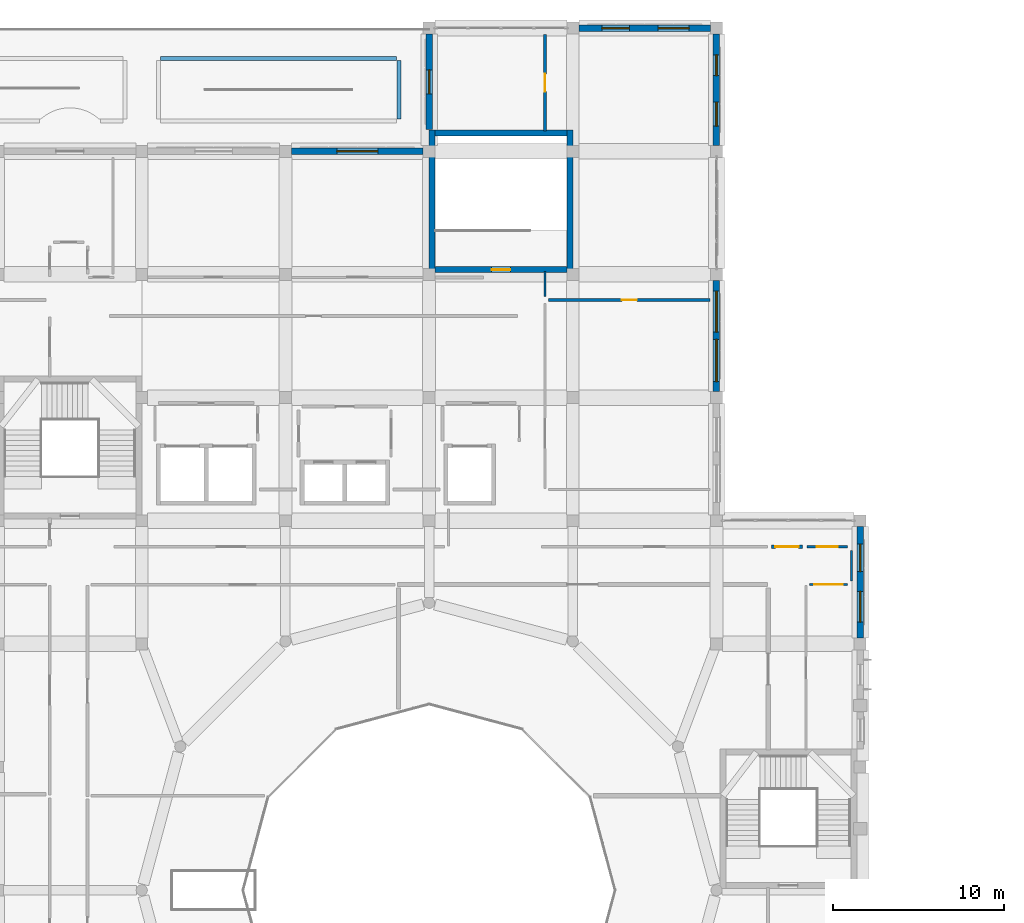
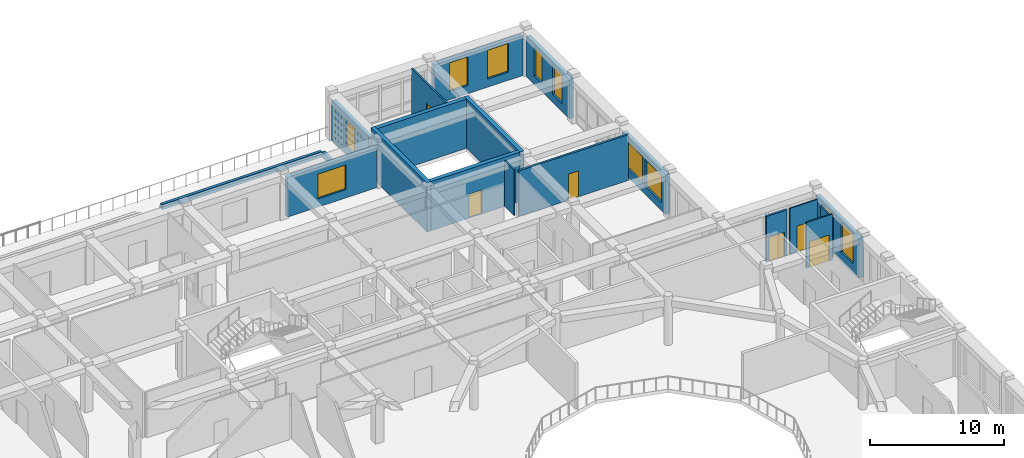
# One storey, part 50 of 79: 19 walls, 10 windows, 6 doors, 16 openings.
"""IFC4 building model written with IfcOpenShell, lengths in metres."""

from ifc_helpers import new_model, si_unit, derived_unit, direction, frame, frame_2d, origin, place, context, subcontext, project, spatial, rectangle, extrude, material, layer, layer_set, type_object, element, fill, save


model = new_model("IFC4")

# Units and contexts
model_context = context("Model", 3, precision=1e-05, world=origin(), true_north=direction((0.0, 1.0)))
body_context = subcontext(model_context, "Body", "Model", "MODEL_VIEW")
ifc_project = project(units=[si_unit("LENGTHUNIT", "METRE"), si_unit("AREAUNIT", "SQUARE_METRE"), si_unit("VOLUMEUNIT", "CUBIC_METRE"), si_unit("PLANEANGLEUNIT", "RADIAN"), si_unit("MASSUNIT", "GRAM", prefix="KILO"), derived_unit("THERMALTRANSMITTANCEUNIT", [(si_unit("POWERUNIT", "WATT"), 1), (si_unit("LENGTHUNIT", "METRE"), -2), (si_unit("THERMODYNAMICTEMPERATUREUNIT", "KELVIN"), -1)])], contexts=[model_context])

# Site, building, storey
site_placement = place(None, origin())
site = spatial("IfcSite", under=ifc_project, at=site_placement, CompositionType="ELEMENT")
building_placement = place(site_placement, origin())
building = spatial("IfcBuilding", under=site, at=building_placement, Name="Veybourne Emporium", CompositionType="ELEMENT")
storey_placement = place(building_placement, frame((0.0, 0.0, 18.89990234375)))
storey = spatial("IfcBuildingStorey", under=building, at=storey_placement, Name="L04", CompositionType="ELEMENT", Elevation=18.89990234375)

# Wall, opening, window
ifc_material_1 = material(Name="Portland Limestone Ashlar", Category="masonry")
ifc_layer_1 = layer(ifc_material_1, 0.3798828125)
ifc_layer_set_1 = layer_set([ifc_layer_1], Name="Portland Limestone Ashlar")
wall_type_1 = type_object("IfcWallType", Name="ExtWall_EW-03", PredefinedType="SOLIDWALL", material=ifc_layer_set_1)
wall_1_placement = place(storey_placement, frame((67.550048828125, 93.60009765625, 0.0), z_axis=(0.0, 0.0, 1.0), x_axis=(1.0, 0.0, 0.0)))
wall_1 = element("IfcWall", 1, at=wall_1_placement, inside=storey, type_object=wall_type_1, Name="L04 terrace facade wall 037", PredefinedType="SOLIDWALL", context=body_context, shape_type="SweptSolid", body=[
    extrude(rectangle(XDim=7.699951171875, YDim=0.3798828125, at=frame_2d((3.85009765625, 0.0))), origin(), (0.0, 0.0, 1.0), 3.630126953125),
])
opening_1_placement = place(wall_1_placement, frame((2.64990234375, 0.0, 0.75)))
opening_1 = element("IfcOpeningElement", 2, at=opening_1_placement, cuts=wall_1, Name="Opening W-23", PredefinedType="OPENING", context=body_context, shape_type="SweptSolid", body=[
    extrude(rectangle(XDim=2.39990234375, YDim=2.260009765625, at=frame_2d((1.199951171875, 1.1298828125))), frame((0.0, 0.2099609375, 0.0), z_axis=(0.0, -1.0, 0.0), x_axis=(1.0, 0.0, 0.0)), (0.0, 0.0, 1.0), 0.419921875),
])
ifc_material_2 = material(Name="Low-E Triple Glazing", Category="glass")
window_type_1 = type_object("IfcWindowType", Name="Win_W-23", PartitioningType="TRIPLE_PANEL_VERTICAL", PredefinedType="WINDOW", material=ifc_material_2)
window_1_placement = place(opening_1_placement, origin())
window_1 = element("IfcWindow", 3, at=window_1_placement, inside=storey, type_object=window_type_1, Name="L04 terrace window 037", OverallHeight=2.260009765625, OverallWidth=2.39990234375, PartitioningType="TRIPLE_PANEL_VERTICAL", PredefinedType="WINDOW", context=body_context, shape_type="SweptSolid", body=[
    extrude(rectangle(XDim=2.39990234375, YDim=2.260009765625, at=frame_2d((1.199951171875, 1.1298828125))), frame((0.0, 0.030029296875, 0.0), z_axis=(0.0, -1.0, 0.0), x_axis=(1.0, 0.0, 0.0)), (0.0, 0.0, 1.0), 0.06005859375),
])
fill(opening_1, window_1)

wall_2_placement = place(storey_placement, frame((75.60009765625, 94.8701171875, 0.0), z_axis=(0.0, 0.0, 1.0), x_axis=(0.0, 1.0, 0.0)))
wall_2 = element("IfcWall", 4, at=wall_2_placement, inside=storey, type_object=wall_type_1, Name="L04 terrace facade wall 040", PredefinedType="SOLIDWALL", context=body_context, shape_type="SweptSolid", body=[
    extrude(rectangle(XDim=5.579833984375, YDim=0.3798828125, at=frame_2d((2.7900390625, 0.0))), origin(), (0.0, 0.0, 1.0), 3.630126953125),
])
opening_2_placement = place(wall_2_placement, frame((2.090087890625, 0.0, 0.75)))
opening_2 = element("IfcOpeningElement", 5, at=opening_2_placement, cuts=wall_2, Name="Opening W-26", PredefinedType="OPENING", context=body_context, shape_type="SweptSolid", body=[
    extrude(rectangle(XDim=1.39990234375, YDim=2.43994140625, at=frame_2d((0.699951171875, 1.219970703125))), frame((0.0, 0.2099609375, 0.0), z_axis=(0.0, -1.0, 0.0), x_axis=(1.0, 0.0, 0.0)), (0.0, 0.0, 1.0), 0.419921875),
])
window_type_2 = type_object("IfcWindowType", Name="Win_W-26", PartitioningType="DOUBLE_PANEL_VERTICAL", PredefinedType="WINDOW", material=ifc_material_2)
window_2_placement = place(opening_2_placement, origin())
window_2 = element("IfcWindow", 6, at=window_2_placement, inside=storey, type_object=window_type_2, Name="L04 terrace window 040", OverallHeight=2.43994140625, OverallWidth=1.39990234375, PartitioningType="DOUBLE_PANEL_VERTICAL", PredefinedType="WINDOW", context=body_context, shape_type="SweptSolid", body=[
    extrude(rectangle(XDim=1.39990234375, YDim=2.43994140625, at=frame_2d((0.699951171875, 1.219970703125))), frame((0.0, 0.030029296875, 0.0), z_axis=(0.0, -1.0, 0.0), x_axis=(1.0, 0.0, 0.0)), (0.0, 0.0, 1.0), 0.06005859375),
])
fill(opening_2, window_2)

# Wall, openings, windows
wall_3_placement = place(storey_placement, frame((92.39990234375, 86.050048828125, 0.0), z_axis=(0.0, 0.0, 1.0), x_axis=(0.0, -1.0, 0.0)))
wall_3 = element("IfcWall", 7, at=wall_3_placement, inside=storey, type_object=wall_type_1, Name="L04 Portland stone external wall 044", PredefinedType="SOLIDWALL", context=body_context, shape_type="SweptSolid", body=[
    extrude(rectangle(XDim=6.5, YDim=0.3798828125, at=frame_2d((3.25, 0.0))), origin(), (0.0, 0.0, 1.0), 3.630126953125),
])
opening_3_placement = place(wall_3_placement, frame((0.6201171875, 0.0, 0.75)))
opening_3 = element("IfcOpeningElement", 8, at=opening_3_placement, cuts=wall_3, Name="Opening W-31", PredefinedType="OPENING", context=body_context, shape_type="SweptSolid", body=[
    extrude(rectangle(XDim=2.39990234375, YDim=2.43994140625, at=frame_2d((1.199951171875, 1.219970703125))), frame((0.0, 0.2099609375, 0.0), z_axis=(0.0, -1.0, 0.0), x_axis=(1.0, 0.0, 0.0)), (0.0, 0.0, 1.0), 0.419921875),
])
opening_4_placement = place(wall_3_placement, frame((3.445068359375, 0.0, 0.75)))
opening_4 = element("IfcOpeningElement", 9, at=opening_4_placement, cuts=wall_3, Name="Opening W-32", PredefinedType="OPENING", context=body_context, shape_type="SweptSolid", body=[
    extrude(rectangle(XDim=2.469970703125, YDim=2.43994140625, at=frame_2d((1.23486328125, 1.219970703125))), frame((0.0, 0.2099609375, 0.0), z_axis=(0.0, -1.0, 0.0), x_axis=(1.0, 0.0, 0.0)), (0.0, 0.0, 1.0), 0.419921875),
])
window_type_3 = type_object("IfcWindowType", Name="Win_W-31", PartitioningType="TRIPLE_PANEL_VERTICAL", PredefinedType="WINDOW", material=ifc_material_2)
window_3_placement = place(opening_3_placement, origin())
window_3 = element("IfcWindow", 10, at=window_3_placement, inside=storey, type_object=window_type_3, Name="L04 tripartite bronze casement window W-31 (44.1)", OverallHeight=2.43994140625, OverallWidth=2.39990234375, PartitioningType="TRIPLE_PANEL_VERTICAL", PredefinedType="WINDOW", context=body_context, shape_type="SweptSolid", body=[
    extrude(rectangle(XDim=2.39990234375, YDim=2.43994140625, at=frame_2d((1.199951171875, 1.219970703125))), frame((0.0, 0.030029296875, 0.0), z_axis=(0.0, -1.0, 0.0), x_axis=(1.0, 0.0, 0.0)), (0.0, 0.0, 1.0), 0.06005859375),
])
fill(opening_3, window_3)
window_type_4 = type_object("IfcWindowType", Name="Win_W-32", PartitioningType="TRIPLE_PANEL_VERTICAL", PredefinedType="WINDOW", material=ifc_material_2)
window_4_placement = place(opening_4_placement, origin())
window_4 = element("IfcWindow", 11, at=window_4_placement, inside=storey, type_object=window_type_4, Name="L04 tripartite bronze casement window W-32 (44.2)", OverallHeight=2.43994140625, OverallWidth=2.469970703125, PartitioningType="TRIPLE_PANEL_VERTICAL", PredefinedType="WINDOW", context=body_context, shape_type="SweptSolid", body=[
    extrude(rectangle(XDim=2.469970703125, YDim=2.43994140625, at=frame_2d((1.23486328125, 1.219970703125))), frame((0.0, 0.030029296875, 0.0), z_axis=(0.0, -1.0, 0.0), x_axis=(1.0, 0.0, 0.0)), (0.0, 0.0, 1.0), 0.06005859375),
])
fill(opening_4, window_4)

wall_4_placement = place(storey_placement, frame((92.39990234375, 100.449951171875, 0.0), z_axis=(0.0, 0.0, 1.0), x_axis=(0.0, -1.0, 0.0)))
wall_4 = element("IfcWall", 12, at=wall_4_placement, inside=storey, type_object=wall_type_1, Name="L04 Portland stone external wall 046", PredefinedType="SOLIDWALL", context=body_context, shape_type="SweptSolid", body=[
    extrude(rectangle(XDim=6.5, YDim=0.3798828125, at=frame_2d((3.25, 0.0))), origin(), (0.0, 0.0, 1.0), 3.630126953125),
])
opening_5_placement = place(wall_4_placement, frame((1.219970703125, 0.0, 0.75)))
opening_5 = element("IfcOpeningElement", 13, at=opening_5_placement, cuts=wall_4, Name="Opening W-33", PredefinedType="OPENING", context=body_context, shape_type="SweptSolid", body=[
    extrude(rectangle(XDim=1.199951171875, YDim=2.6201171875, at=frame_2d((0.60009765625, 1.31005859375))), frame((0.0, 0.2099609375, 0.0), z_axis=(0.0, -1.0, 0.0), x_axis=(1.0, 0.0, 0.0)), (0.0, 0.0, 1.0), 0.419921875),
])
opening_6_placement = place(wall_4_placement, frame((3.97998046875, 0.0, 0.75)))
opening_6 = element("IfcOpeningElement", 14, at=opening_6_placement, cuts=wall_4, Name="Opening W-34", PredefinedType="OPENING", context=body_context, shape_type="SweptSolid", body=[
    extrude(rectangle(XDim=1.39990234375, YDim=2.6201171875, at=frame_2d((0.699951171875, 1.31005859375))), frame((0.0, 0.2099609375, 0.0), z_axis=(0.0, -1.0, 0.0), x_axis=(1.0, 0.0, 0.0)), (0.0, 0.0, 1.0), 0.419921875),
])
window_type_5 = type_object("IfcWindowType", Name="Win_W-33", PartitioningType="SINGLE_PANEL", PredefinedType="WINDOW", material=ifc_material_2)
window_5_placement = place(opening_5_placement, origin())
window_5 = element("IfcWindow", 15, at=window_5_placement, inside=storey, type_object=window_type_5, Name="L04 tripartite bronze casement window W-33 (46.1)", OverallHeight=2.6201171875, OverallWidth=1.199951171875, PartitioningType="SINGLE_PANEL", PredefinedType="WINDOW", context=body_context, shape_type="SweptSolid", body=[
    extrude(rectangle(XDim=1.199951171875, YDim=2.6201171875, at=frame_2d((0.60009765625, 1.31005859375))), frame((0.0, 0.030029296875, 0.0), z_axis=(0.0, -1.0, 0.0), x_axis=(1.0, 0.0, 0.0)), (0.0, 0.0, 1.0), 0.06005859375),
])
fill(opening_5, window_5)
window_type_6 = type_object("IfcWindowType", Name="Win_W-34", PartitioningType="DOUBLE_PANEL_VERTICAL", PredefinedType="WINDOW", material=ifc_material_2)
window_6_placement = place(opening_6_placement, origin())
window_6 = element("IfcWindow", 16, at=window_6_placement, inside=storey, type_object=window_type_6, Name="L04 tripartite bronze casement window W-34 (46.2)", OverallHeight=2.6201171875, OverallWidth=1.39990234375, PartitioningType="DOUBLE_PANEL_VERTICAL", PredefinedType="WINDOW", context=body_context, shape_type="SweptSolid", body=[
    extrude(rectangle(XDim=1.39990234375, YDim=2.6201171875, at=frame_2d((0.699951171875, 1.31005859375))), frame((0.0, 0.030029296875, 0.0), z_axis=(0.0, -1.0, 0.0), x_axis=(1.0, 0.0, 0.0)), (0.0, 0.0, 1.0), 0.06005859375),
])
fill(opening_6, window_6)

wall_5_placement = place(storey_placement, frame((84.35009765625, 100.800048828125, 0.0), z_axis=(0.0, 0.0, 1.0), x_axis=(1.0, 0.0, 0.0)))
wall_5 = element("IfcWall", 17, at=wall_5_placement, inside=storey, type_object=wall_type_1, Name="L04 Portland stone external wall 047", PredefinedType="SOLIDWALL", context=body_context, shape_type="SweptSolid", body=[
    extrude(rectangle(XDim=7.699951171875, YDim=0.3798828125, at=frame_2d((3.85009765625, 0.0))), origin(), (0.0, 0.0, 1.0), 3.630126953125),
])
opening_7_placement = place(wall_5_placement, frame((1.35595703125, 0.0, 0.75)))
opening_7 = element("IfcOpeningElement", 18, at=opening_7_placement, cuts=wall_5, Name="Opening W-35", PredefinedType="OPENING", context=body_context, shape_type="SweptSolid", body=[
    extrude(rectangle(XDim=1.60009765625, YDim=2.6201171875, at=frame_2d((0.800048828125, 1.31005859375))), frame((0.0, 0.2099609375, 0.0), z_axis=(0.0, -1.0, 0.0), x_axis=(1.0, 0.0, 0.0)), (0.0, 0.0, 1.0), 0.419921875),
])
opening_8_placement = place(wall_5_placement, frame((4.64404296875, 0.0, 0.75)))
opening_8 = element("IfcOpeningElement", 19, at=opening_8_placement, cuts=wall_5, Name="Opening W-36", PredefinedType="OPENING", context=body_context, shape_type="SweptSolid", body=[
    extrude(rectangle(XDim=1.800048828125, YDim=2.6201171875, at=frame_2d((0.89990234375, 1.31005859375))), frame((0.0, 0.2099609375, 0.0), z_axis=(0.0, -1.0, 0.0), x_axis=(1.0, 0.0, 0.0)), (0.0, 0.0, 1.0), 0.419921875),
])
window_type_7 = type_object("IfcWindowType", Name="Win_W-35", PartitioningType="DOUBLE_PANEL_VERTICAL", PredefinedType="WINDOW", material=ifc_material_2)
window_7_placement = place(opening_7_placement, origin())
window_7 = element("IfcWindow", 20, at=window_7_placement, inside=storey, type_object=window_type_7, Name="L04 tripartite bronze casement window W-35 (47.1)", OverallHeight=2.6201171875, OverallWidth=1.60009765625, PartitioningType="DOUBLE_PANEL_VERTICAL", PredefinedType="WINDOW", context=body_context, shape_type="SweptSolid", body=[
    extrude(rectangle(XDim=1.60009765625, YDim=2.6201171875, at=frame_2d((0.800048828125, 1.31005859375))), frame((0.0, 0.030029296875, 0.0), z_axis=(0.0, -1.0, 0.0), x_axis=(1.0, 0.0, 0.0)), (0.0, 0.0, 1.0), 0.06005859375),
])
fill(opening_7, window_7)
window_type_8 = type_object("IfcWindowType", Name="Win_W-36", PartitioningType="DOUBLE_PANEL_VERTICAL", PredefinedType="WINDOW", material=ifc_material_2)
window_8_placement = place(opening_8_placement, origin())
window_8 = element("IfcWindow", 21, at=window_8_placement, inside=storey, type_object=window_type_8, Name="L04 tripartite bronze casement window W-36 (47.2)", OverallHeight=2.6201171875, OverallWidth=1.800048828125, PartitioningType="DOUBLE_PANEL_VERTICAL", PredefinedType="WINDOW", context=body_context, shape_type="SweptSolid", body=[
    extrude(rectangle(XDim=1.800048828125, YDim=2.6201171875, at=frame_2d((0.89990234375, 1.31005859375))), frame((0.0, 0.030029296875, 0.0), z_axis=(0.0, -1.0, 0.0), x_axis=(1.0, 0.0, 0.0)), (0.0, 0.0, 1.0), 0.06005859375),
])
fill(opening_8, window_8)

wall_6_placement = place(storey_placement, frame((100.800048828125, 71.64990234375, 0.0), z_axis=(0.0, 0.0, 1.0), x_axis=(0.0, -1.0, 0.0)))
wall_6 = element("IfcWall", 22, at=wall_6_placement, inside=storey, type_object=wall_type_1, Name="L04 Portland stone external wall 053", PredefinedType="SOLIDWALL", context=body_context, shape_type="SweptSolid", body=[
    extrude(rectangle(XDim=6.5, YDim=0.3798828125, at=frame_2d((3.25, 0.0))), origin(), (0.0, 0.0, 1.0), 3.630126953125),
])
opening_9_placement = place(wall_6_placement, frame((1.02001953125, 0.0, 0.75)))
opening_9 = element("IfcOpeningElement", 23, at=opening_9_placement, cuts=wall_6, Name="Opening W-43", PredefinedType="OPENING", context=body_context, shape_type="SweptSolid", body=[
    extrude(rectangle(XDim=1.60009765625, YDim=2.72998046875, at=frame_2d((0.800048828125, 1.364990234375))), frame((0.0, 0.2099609375, 0.0), z_axis=(0.0, -1.0, 0.0), x_axis=(1.0, 0.0, 0.0)), (0.0, 0.0, 1.0), 0.419921875),
])
opening_10_placement = place(wall_6_placement, frame((3.780029296875, 0.0, 0.75)))
opening_10 = element("IfcOpeningElement", 24, at=opening_10_placement, cuts=wall_6, Name="Opening W-44", PredefinedType="OPENING", context=body_context, shape_type="SweptSolid", body=[
    extrude(rectangle(XDim=1.800048828125, YDim=2.72998046875, at=frame_2d((0.89990234375, 1.364990234375))), frame((0.0, 0.2099609375, 0.0), z_axis=(0.0, -1.0, 0.0), x_axis=(1.0, 0.0, 0.0)), (0.0, 0.0, 1.0), 0.419921875),
])
window_type_9 = type_object("IfcWindowType", Name="Win_W-43", PartitioningType="DOUBLE_PANEL_VERTICAL", PredefinedType="WINDOW", material=ifc_material_2)
window_9_placement = place(opening_9_placement, origin())
window_9 = element("IfcWindow", 25, at=window_9_placement, inside=storey, type_object=window_type_9, Name="L04 tripartite bronze casement window W-43 (53.1)", OverallHeight=2.72998046875, OverallWidth=1.60009765625, PartitioningType="DOUBLE_PANEL_VERTICAL", PredefinedType="WINDOW", context=body_context, shape_type="SweptSolid", body=[
    extrude(rectangle(XDim=1.60009765625, YDim=2.72998046875, at=frame_2d((0.800048828125, 1.364990234375))), frame((0.0, 0.030029296875, 0.0), z_axis=(0.0, -1.0, 0.0), x_axis=(1.0, 0.0, 0.0)), (0.0, 0.0, 1.0), 0.06005859375),
])
fill(opening_9, window_9)
window_type_10 = type_object("IfcWindowType", Name="Win_W-44", PartitioningType="DOUBLE_PANEL_VERTICAL", PredefinedType="WINDOW", material=ifc_material_2)
window_10_placement = place(opening_10_placement, origin())
window_10 = element("IfcWindow", 26, at=window_10_placement, inside=storey, type_object=window_type_10, Name="L04 tripartite bronze casement window W-44 (53.2)", OverallHeight=2.72998046875, OverallWidth=1.800048828125, PartitioningType="DOUBLE_PANEL_VERTICAL", PredefinedType="WINDOW", context=body_context, shape_type="SweptSolid", body=[
    extrude(rectangle(XDim=1.800048828125, YDim=2.72998046875, at=frame_2d((0.89990234375, 1.364990234375))), frame((0.0, 0.030029296875, 0.0), z_axis=(0.0, -1.0, 0.0), x_axis=(1.0, 0.0, 0.0)), (0.0, 0.0, 1.0), 0.06005859375),
])
fill(opening_10, window_10)

# Walls
ifc_material_3 = material(Name="Precast concrete C40/50", Category="concrete")
ifc_layer_2 = layer(ifc_material_3, 0.239990234375)
ifc_layer_set_2 = layer_set([ifc_layer_2], Name="Precast concrete C40/50")
wall_type_2 = type_object("IfcWallType", Name="ExtWall_PW-02", PredefinedType="PARAPET", material=ifc_layer_set_2)
wall_7_placement = place(storey_placement, frame((59.89990234375, 99.030029296875, 0.0), z_axis=(0.0, 0.0, 1.0), x_axis=(1.0, 0.0, 0.0)))
element("IfcWall", 27, at=wall_7_placement, inside=storey, type_object=wall_type_2, Name="L04 planted roof-garden kerb 003", PredefinedType="PARAPET", context=body_context, shape_type="SweptSolid", body=[
    extrude(rectangle(XDim=13.800048828125, YDim=0.239990234375, at=frame_2d((6.89990234375, 0.0))), origin(), (0.0, 0.0, 1.0), 0.5),
])
wall_8_placement = place(storey_placement, frame((73.830078125, 98.89990234375, 0.0), z_axis=(0.0, 0.0, 1.0), x_axis=(0.0, -1.0, 0.0)))
element("IfcWall", 28, at=wall_8_placement, inside=storey, type_object=wall_type_2, Name="L04 planted roof-garden kerb 004", PredefinedType="PARAPET", context=body_context, shape_type="SweptSolid", body=[
    extrude(rectangle(XDim=3.39990234375, YDim=0.239990234375, at=frame_2d((1.699951171875, 0.0))), origin(), (0.0, 0.0, 1.0), 0.5),
])

# Wall, opening, door
ifc_material_4 = material(Name="Concrete C40/50", Category="concrete")
ifc_layer_3 = layer(ifc_material_4, 0.35009765625)
ifc_layer_set_3 = layer_set([ifc_layer_3], Name="Concrete C40/50")
wall_type_3 = type_object("IfcWallType", Name="IntWall_CW-02", PredefinedType="SHEAR", material=ifc_layer_set_3)
wall_9_placement = place(storey_placement, frame((83.64990234375, 86.675048828125, 0.0), z_axis=(0.0, 0.0, 1.0), x_axis=(-1.0, 0.0, 0.0)))
wall_9 = element("IfcWall", 29, at=wall_9_placement, inside=storey, type_object=wall_type_3, Name="Core stair ST-04 south shear wall (L04)", PredefinedType="SHEAR", context=body_context, shape_type="SweptSolid", body=[
    extrude(rectangle(XDim=7.699951171875, YDim=0.35009765625, at=frame_2d((3.85009765625, 0.0))), origin(), (0.0, 0.0, 1.0), 4.5),
])
opening_11_placement = place(wall_9_placement, frame((3.300048828125, 0.0, 0.0)))
opening_11 = element("IfcOpeningElement", 30, at=opening_11_placement, cuts=wall_9, Name="Opening FD-01", PredefinedType="OPENING", context=body_context, shape_type="SweptSolid", body=[
    extrude(rectangle(XDim=1.10009765625, YDim=2.199951171875, at=frame_2d((0.550048828125, 1.10009765625))), frame((0.0, 0.195068359375, 0.0), z_axis=(0.0, -1.0, 0.0), x_axis=(1.0, 0.0, 0.0)), (0.0, 0.0, 1.0), 0.39013671875),
])
ifc_material_5 = material(Name="Patinated Architectural Bronze", Category="bronze")
door_type_1 = type_object("IfcDoorType", Name="FireDoor_FD-01", OperationType="NOTDEFINED", PredefinedType="DOOR", material=ifc_material_5)
door_1_placement = place(opening_11_placement, origin())
door_1 = element("IfcDoor", 31, at=door_1_placement, inside=storey, type_object=door_type_1, Name="Stair ST-04 fire door (L04)", OperationType="SINGLE_SWING_RIGHT", OverallHeight=2.199951171875, OverallWidth=1.10009765625, PredefinedType="DOOR", context=body_context, shape_type="SweptSolid", body=[
    extrude(rectangle(XDim=1.10009765625, YDim=2.199951171875, at=frame_2d((0.550048828125, 1.10009765625))), frame((0.0, 0.02490234375, 0.0), z_axis=(0.0, -1.0, 0.0), x_axis=(1.0, 0.0, 0.0)), (0.0, 0.0, 1.0), 0.050048828125),
])
fill(opening_11, door_1)

# Walls
wall_10_placement = place(storey_placement, frame((75.949951171875, 94.675048828125, 0.0), z_axis=(0.0, 0.0, 1.0), x_axis=(1.0, 0.0, 0.0)))
element("IfcWall", 32, at=wall_10_placement, inside=storey, type_object=wall_type_3, Name="Core stair ST-04 north shear wall (L04)", PredefinedType="SHEAR", context=body_context, shape_type="SweptSolid", body=[
    extrude(rectangle(XDim=7.699951171875, YDim=0.35009765625, at=frame_2d((3.85009765625, 0.0))), origin(), (0.0, 0.0, 1.0), 4.5),
])
for number, where, z_axis, x_axis, name in (
    (33, (75.77490234375, 94.85009765625, 0.0), (0.0, 0.0, 1.0), (0.0, -1.0, 0.0), "Core stair ST-04 west shear wall (L04)"),
    (34, (83.824951171875, 86.5, 0.0), (0.0, 0.0, 1.0), (0.0, 1.0, 0.0), "Core stair ST-04 east shear wall (L04)"),
):
    element("IfcWall", number, at=place(storey_placement, frame(where, z_axis=z_axis, x_axis=x_axis)), inside=storey, type_object=wall_type_3, Name=name, PredefinedType="SHEAR", context=body_context, shape_type="SweptSolid", body=[
        extrude(rectangle(XDim=8.35009765625, YDim=0.35009765625, at=frame_2d((4.175048828125, 0.0))), origin(), (0.0, 0.0, 1.0), 4.5),
    ])

# Wall, opening, door
ifc_material_6 = material(Name="Gypsum Acoustic Board", Category="gypsum")
ifc_layer_4 = layer(ifc_material_6, 0.179931640625)
ifc_layer_set_4 = layer_set([ifc_layer_4], Name="Gypsum Acoustic Board")
wall_type_4 = type_object("IfcWallType", Name="IntWall_IW-01", PredefinedType="PARTITIONING", material=ifc_layer_set_4)
wall_11_placement = place(storey_placement, frame((95.6298828125, 70.47998046875, 0.0), z_axis=(0.0, 0.0, 1.0), x_axis=(1.0, 0.0, 0.0)))
wall_11 = element("IfcWall", 35, at=wall_11_placement, inside=storey, type_object=wall_type_4, Name="L04 interior partition IW-01 #100", PredefinedType="PARTITIONING", context=body_context, shape_type="SweptSolid", body=[
    extrude(rectangle(XDim=1.7900390625, YDim=0.179931640625, at=frame_2d((0.89501953125, 0.0))), origin(), (0.0, 0.0, 1.0), 4.18017578125),
])
opening_12_placement = place(wall_11_placement, frame((0.215087890625, 0.0, 0.0)))
opening_12 = element("IfcOpeningElement", 36, at=opening_12_placement, cuts=wall_11, Name="Opening D-16", PredefinedType="OPENING", context=body_context, shape_type="SweptSolid", body=[
    extrude(rectangle(XDim=1.360107421875, YDim=2.2099609375, at=frame_2d((0.68017578125, 1.10498046875))), frame((0.0, 0.10986328125, 0.0), z_axis=(0.0, -1.0, 0.0), x_axis=(1.0, 0.0, 0.0)), (0.0, 0.0, 1.0), 0.219970703125),
])
ifc_material_7 = material(Name="European Oak Veneer and Bronze", Category="wood")
door_type_2 = type_object("IfcDoorType", Name="IntDoor_D-16", OperationType="NOTDEFINED", PredefinedType="DOOR", material=ifc_material_7)
door_2_placement = place(opening_12_placement, origin())
door_2 = element("IfcDoor", 37, at=door_2_placement, inside=storey, type_object=door_type_2, Name="L04 interior door D-16 (PART-L04-100)", OperationType="SINGLE_SWING_RIGHT", OverallHeight=2.2099609375, OverallWidth=1.360107421875, PredefinedType="DOOR", context=body_context, shape_type="SweptSolid", body=[
    extrude(rectangle(XDim=1.360107421875, YDim=2.2099609375, at=frame_2d((0.68017578125, 1.10498046875))), frame((0.0, 0.02490234375, 0.0), z_axis=(0.0, -1.0, 0.0), x_axis=(1.0, 0.0, 0.0)), (0.0, 0.0, 1.0), 0.050048828125),
])
fill(opening_12, door_2)

wall_12_placement = place(storey_placement, frame((82.5859375, 84.906982421875, 0.0), z_axis=(0.0, 0.0, 1.0), x_axis=(1.0, 0.0, 0.0)))
wall_12 = element("IfcWall", 38, at=wall_12_placement, inside=storey, type_object=wall_type_4, Name="L04 interior partition IW-01 #121", PredefinedType="PARTITIONING", context=body_context, shape_type="SweptSolid", body=[
    extrude(rectangle(XDim=9.444091796875, YDim=0.179931640625, at=frame_2d((4.72216796875, 0.0))), origin(), (0.0, 0.0, 1.0), 4.18017578125),
])
opening_13_placement = place(wall_12_placement, frame((4.281982421875, 0.0, 0.0)))
opening_13 = element("IfcOpeningElement", 39, at=opening_13_placement, cuts=wall_12, Name="Opening D-25", PredefinedType="OPENING", context=body_context, shape_type="SweptSolid", body=[
    extrude(rectangle(XDim=0.8798828125, YDim=2.3701171875, at=frame_2d((0.43994140625, 1.18505859375))), frame((0.0, 0.10986328125, 0.0), z_axis=(0.0, -1.0, 0.0), x_axis=(1.0, 0.0, 0.0)), (0.0, 0.0, 1.0), 0.219970703125),
])
door_type_3 = type_object("IfcDoorType", Name="IntDoor_D-25", OperationType="NOTDEFINED", PredefinedType="DOOR", material=ifc_material_7)
door_3_placement = place(opening_13_placement, origin())
door_3 = element("IfcDoor", 40, at=door_3_placement, inside=storey, type_object=door_type_3, Name="L04 interior door D-25 (PART-L04-121)", OperationType="SINGLE_SWING_RIGHT", OverallHeight=2.3701171875, OverallWidth=0.8798828125, PredefinedType="DOOR", context=body_context, shape_type="SweptSolid", body=[
    extrude(rectangle(XDim=0.8798828125, YDim=2.3701171875, at=frame_2d((0.43994140625, 1.18505859375))), frame((0.0, 0.02490234375, 0.0), z_axis=(0.0, -1.0, 0.0), x_axis=(1.0, 0.0, 0.0)), (0.0, 0.0, 1.0), 0.050048828125),
])
fill(opening_13, door_3)

ifc_layer_5 = layer(ifc_material_6, 0.14990234375)
ifc_layer_set_5 = layer_set([ifc_layer_5], Name="Gypsum Acoustic Board")
wall_type_5 = type_object("IfcWallType", Name="IntWall_IW-02", PredefinedType="PARTITIONING", material=ifc_layer_set_5)
wall_13_placement = place(storey_placement, frame((82.3759765625, 94.7900390625, 0.0), z_axis=(0.0, 0.0, 1.0), x_axis=(0.0, 1.0, 0.0)))
wall_13 = element("IfcWall", 41, at=wall_13_placement, inside=storey, type_object=wall_type_5, Name="L04 interior partition IW-02 #128", PredefinedType="PARTITIONING", context=body_context, shape_type="SweptSolid", body=[
    extrude(rectangle(XDim=5.639892578125, YDim=0.14990234375, at=frame_2d((2.81982421875, 0.0))), origin(), (0.0, 0.0, 1.0), 4.18017578125),
])
opening_14_placement = place(wall_13_placement, frame((2.300048828125, 0.0, 0.0)))
opening_14 = element("IfcOpeningElement", 42, at=opening_14_placement, cuts=wall_13, Name="Opening D-26", PredefinedType="OPENING", context=body_context, shape_type="SweptSolid", body=[
    extrude(rectangle(XDim=1.0400390625, YDim=2.3701171875, at=frame_2d((0.52001953125, 1.18505859375))), frame((0.0, 0.094970703125, 0.0), z_axis=(0.0, -1.0, 0.0), x_axis=(1.0, 0.0, 0.0)), (0.0, 0.0, 1.0), 0.18994140625),
])
door_type_4 = type_object("IfcDoorType", Name="IntDoor_D-26", OperationType="NOTDEFINED", PredefinedType="DOOR", material=ifc_material_7)
door_4_placement = place(opening_14_placement, origin())
door_4 = element("IfcDoor", 43, at=door_4_placement, inside=storey, type_object=door_type_4, Name="L04 interior door D-26 (PART-L04-128)", OperationType="SINGLE_SWING_LEFT", OverallHeight=2.3701171875, OverallWidth=1.0400390625, PredefinedType="DOOR", context=body_context, shape_type="SweptSolid", body=[
    extrude(rectangle(XDim=1.0400390625, YDim=2.3701171875, at=frame_2d((0.52001953125, 1.18505859375))), frame((0.0, 0.02490234375, 0.0), z_axis=(0.0, -1.0, 0.0), x_axis=(1.0, 0.0, 0.0)), (0.0, 0.0, 1.0), 0.050048828125),
])
fill(opening_14, door_4)

ifc_layer_6 = layer(ifc_material_6, 0.1201171875)
ifc_layer_set_6 = layer_set([ifc_layer_6], Name="Gypsum Acoustic Board")
wall_type_6 = type_object("IfcWallType", Name="IntWall_IW-03", PredefinedType="PARTITIONING", material=ifc_layer_set_6)
wall_14_placement = place(storey_placement, frame((97.679931640625, 70.47998046875, 0.0), z_axis=(0.0, 0.0, 1.0), x_axis=(1.0, 0.0, 0.0)))
wall_14 = element("IfcWall", 44, at=wall_14_placement, inside=storey, type_object=wall_type_6, Name="L04 interior partition IW-03 #075", PredefinedType="PARTITIONING", context=body_context, shape_type="SweptSolid", body=[
    extrude(rectangle(XDim=2.39013671875, YDim=0.1201171875, at=frame_2d((1.195068359375, 0.0))), origin(), (0.0, 0.0, 1.0), 4.18017578125),
])
opening_15_placement = place(wall_14_placement, frame((0.594970703125, 0.0, 0.0)))
opening_15 = element("IfcOpeningElement", 45, at=opening_15_placement, cuts=wall_14, Name="Opening D-27", PredefinedType="OPENING", context=body_context, shape_type="SweptSolid", body=[
    extrude(rectangle(XDim=1.199951171875, YDim=2.3701171875, at=frame_2d((0.60009765625, 1.18505859375))), frame((0.0, 0.080078125, 0.0), z_axis=(0.0, -1.0, 0.0), x_axis=(1.0, 0.0, 0.0)), (0.0, 0.0, 1.0), 0.16015625),
])
door_type_5 = type_object("IfcDoorType", Name="IntDoor_D-27", OperationType="NOTDEFINED", PredefinedType="DOOR", material=ifc_material_7)
door_5_placement = place(opening_15_placement, origin())
door_5 = element("IfcDoor", 46, at=door_5_placement, inside=storey, type_object=door_type_5, Name="L04 interior door D-27 (PART-L04-075)", OperationType="SINGLE_SWING_LEFT", OverallHeight=2.3701171875, OverallWidth=1.199951171875, PredefinedType="DOOR", context=body_context, shape_type="SweptSolid", body=[
    extrude(rectangle(XDim=1.199951171875, YDim=2.3701171875, at=frame_2d((0.60009765625, 1.18505859375))), frame((0.0, 0.02490234375, 0.0), z_axis=(0.0, -1.0, 0.0), x_axis=(1.0, 0.0, 0.0)), (0.0, 0.0, 1.0), 0.050048828125),
])
fill(opening_15, door_5)

wall_15_placement = place(storey_placement, frame((97.840087890625, 68.27001953125, 0.0), z_axis=(0.0, 0.0, 1.0), x_axis=(1.0, 0.0, 0.0)))
wall_15 = element("IfcWall", 47, at=wall_15_placement, inside=storey, type_object=wall_type_6, Name="L04 interior partition IW-03 #078", PredefinedType="PARTITIONING", context=body_context, shape_type="SweptSolid", body=[
    extrude(rectangle(XDim=2.22998046875, YDim=0.1201171875, at=frame_2d((1.114990234375, 0.0))), origin(), (0.0, 0.0, 1.0), 4.18017578125),
])
opening_16_placement = place(wall_15_placement, frame((0.27490234375, 0.0, 0.0)))
opening_16 = element("IfcOpeningElement", 48, at=opening_16_placement, cuts=wall_15, Name="Opening D-30", PredefinedType="OPENING", context=body_context, shape_type="SweptSolid", body=[
    extrude(rectangle(XDim=1.679931640625, YDim=2.3701171875, at=frame_2d((0.83984375, 1.18505859375))), frame((0.0, 0.080078125, 0.0), z_axis=(0.0, -1.0, 0.0), x_axis=(1.0, 0.0, 0.0)), (0.0, 0.0, 1.0), 0.16015625),
])
door_type_6 = type_object("IfcDoorType", Name="IntDoor_D-30", OperationType="DOUBLE_DOOR_SINGLE_SWING", PredefinedType="DOOR", material=ifc_material_7)
door_6_placement = place(opening_16_placement, origin())
door_6 = element("IfcDoor", 49, at=door_6_placement, inside=storey, type_object=door_type_6, Name="L04 interior door D-30 (PART-L04-078)", OperationType="DOUBLE_DOOR_SINGLE_SWING", OverallHeight=2.3701171875, OverallWidth=1.679931640625, PredefinedType="DOOR", context=body_context, shape_type="SweptSolid", body=[
    extrude(rectangle(XDim=1.679931640625, YDim=2.3701171875, at=frame_2d((0.83984375, 1.18505859375))), frame((0.0, 0.02490234375, 0.0), z_axis=(0.0, -1.0, 0.0), x_axis=(1.0, 0.0, 0.0)), (0.0, 0.0, 1.0), 0.050048828125),
])
fill(opening_16, door_6)

# Walls
wall_16_placement = place(storey_placement, frame((100.280029296875, 68.47998046875, 0.0), z_axis=(0.0, 0.0, 1.0), x_axis=(0.0, 1.0, 0.0)))
element("IfcWall", 50, at=wall_16_placement, inside=storey, type_object=wall_type_6, Name="L04 interior partition IW-03 #093", PredefinedType="PARTITIONING", context=body_context, shape_type="SweptSolid", body=[
    extrude(rectangle(XDim=1.7900390625, YDim=0.1201171875, at=frame_2d((0.89501953125, 0.0))), origin(), (0.0, 0.0, 1.0), 3.630126953125),
])
wall_17_placement = place(storey_placement, frame((82.3759765625, 85.116943359375, 0.0), z_axis=(0.0, 0.0, 1.0), x_axis=(0.0, 1.0, 0.0)))
element("IfcWall", 51, at=wall_17_placement, inside=storey, type_object=wall_type_6, Name="L04 interior partition IW-03 #144", PredefinedType="PARTITIONING", context=body_context, shape_type="SweptSolid", body=[
    extrude(rectangle(XDim=1.443115234375, YDim=0.1201171875, at=frame_2d((0.7216796875, 0.0))), origin(), (0.0, 0.0, 1.0), 4.18017578125),
])

save(model, "model.ifc")
